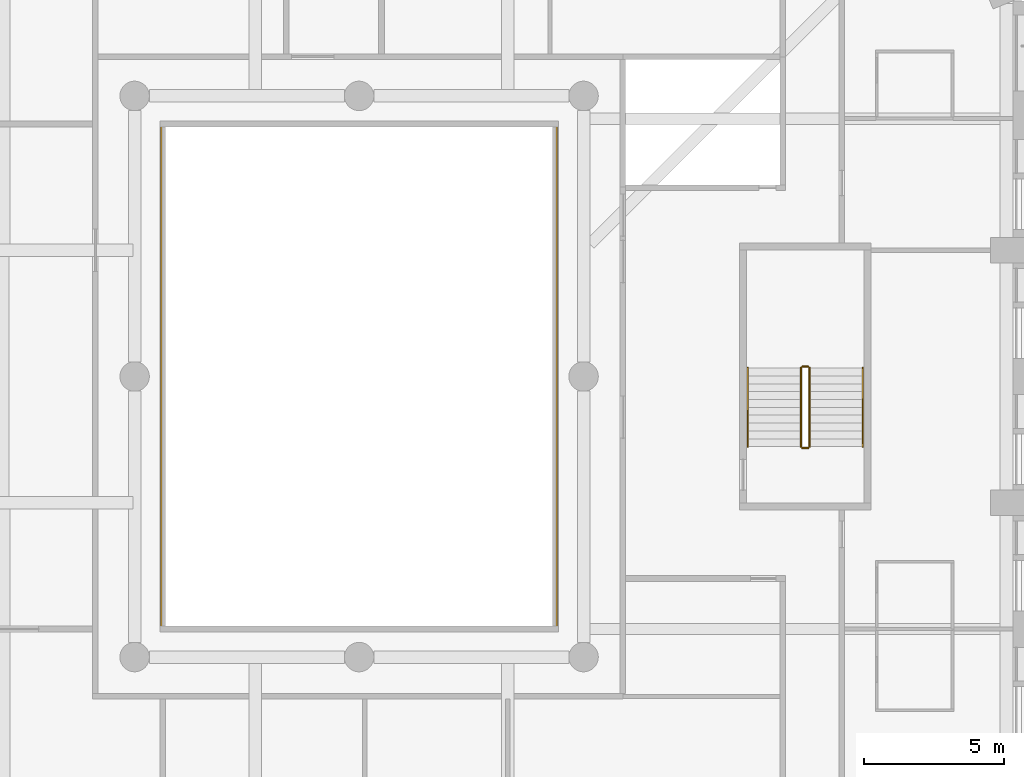
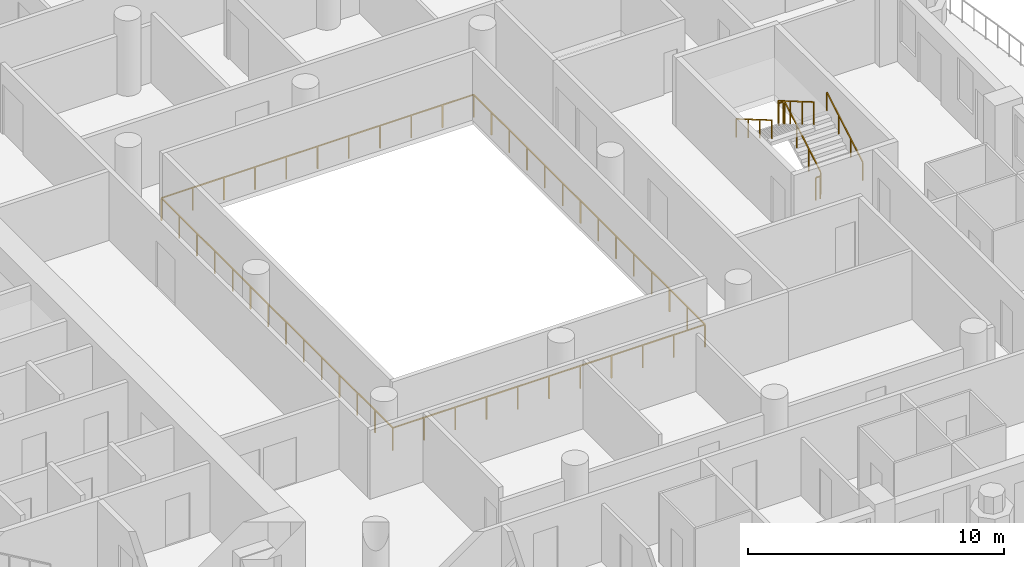
# One storey, part 14 of 19: 7 railings.
"""IFC4 building model written with IfcOpenShell, lengths in metres."""

from ifc_helpers import new_model, si_unit, direction, frame, origin, origin_2d, place, context, subcontext, project, spatial, rectangle, extrude, material, type_object, element, save


model = new_model("IFC4")

# Units and contexts
model_context = context("Model", 3, precision=1e-05, world=origin(), true_north=direction((0.0, 1.0)))
body_context = subcontext(model_context, "Body", "Model", "MODEL_VIEW")
ifc_project = project(units=[si_unit("LENGTHUNIT", "METRE"), si_unit("AREAUNIT", "SQUARE_METRE"), si_unit("VOLUMEUNIT", "CUBIC_METRE"), si_unit("PLANEANGLEUNIT", "RADIAN"), si_unit("MASSUNIT", "GRAM", prefix="KILO")], contexts=[model_context])

# Site, building, storey
site_placement = place(None, origin())
site = spatial("IfcSite", under=ifc_project, at=site_placement, CompositionType="ELEMENT")
building_placement = place(site_placement, origin())
building = spatial("IfcBuilding", under=site, at=building_placement, Name="Cypress Arch Tower", CompositionType="ELEMENT")
storey_placement = place(building_placement, frame((0.0, 0.0, 141.89990234375)))
storey = spatial("IfcBuildingStorey", under=building, at=storey_placement, Name="L31", CompositionType="ELEMENT", Elevation=141.89990234375)

# Railings
ifc_material_1 = material(Name="Stainless steel posts and handrail, laminated glass infill", Category="steel")
railing_type_1 = type_object("IfcRailingType", Name="Atrium guard GR1100A", PredefinedType="GUARDRAIL", material=ifc_material_1)
railing_1_placement = place(storey_placement, frame((8.050048828125, -9.050048828125, 0.0)))
element("IfcRailing", 1, at=railing_1_placement, inside=storey, type_object=railing_type_1, Name="Atrium guard L31", PredefinedType="GUARDRAIL", context=body_context, shape_type="SweptSolid", body=[
    extrude(rectangle(XDim=0.050048828125, YDim=0.050048828125, at=origin_2d()), frame((0.0, 0.0, 1.0751953125), z_axis=(-1.0, 0.0, 0.0), x_axis=(0.0, -1.0, 0.0)), (0.0, 0.0, 1.0), 14.10009765625),
    extrude(rectangle(XDim=0.050048828125, YDim=0.050048828125, at=origin_2d()), frame((-14.10009765625, 0.0, 1.0751953125), z_axis=(0.0, 1.0, 0.0), x_axis=(-1.0, 0.0, 0.0)), (0.0, 0.0, 1.0), 18.10009765625),
    extrude(rectangle(XDim=0.050048828125, YDim=0.050048828125, at=origin_2d()), frame((-14.10009765625, 18.10009765625, 1.0751953125), z_axis=(1.0, 0.0, 0.0), x_axis=(0.0, 1.0, 0.0)), (0.0, 0.0, 1.0), 14.10009765625),
    extrude(rectangle(XDim=0.050048828125, YDim=0.050048828125, at=origin_2d()), frame((0.0, 18.10009765625, 1.0751953125), z_axis=(0.0, -1.0, 0.0), x_axis=(1.0, 0.0, 0.0)), (0.0, 0.0, 1.0), 18.10009765625),
    extrude(rectangle(XDim=0.050048828125, YDim=0.050048828125, at=origin_2d()), origin(), (0.0, 0.0, 1.0), 1.050048828125),
    extrude(rectangle(XDim=0.050048828125, YDim=0.050048828125, at=origin_2d()), frame((-1.409912109375, 0.0, 0.0)), (0.0, 0.0, 1.0), 1.050048828125),
    extrude(rectangle(XDim=0.050048828125, YDim=0.050048828125, at=origin_2d()), frame((-2.820068359375, 0.0, 0.0)), (0.0, 0.0, 1.0), 1.050048828125),
    extrude(rectangle(XDim=0.050048828125, YDim=0.050048828125, at=origin_2d()), frame((-4.22998046875, 0.0, 0.0)), (0.0, 0.0, 1.0), 1.050048828125),
    extrude(rectangle(XDim=0.050048828125, YDim=0.050048828125, at=origin_2d()), frame((-5.64013671875, 0.0, 0.0)), (0.0, 0.0, 1.0), 1.050048828125),
    extrude(rectangle(XDim=0.050048828125, YDim=0.050048828125, at=origin_2d()), frame((-7.050048828125, 0.0, 0.0)), (0.0, 0.0, 1.0), 1.050048828125),
    extrude(rectangle(XDim=0.050048828125, YDim=0.050048828125, at=origin_2d()), frame((-8.4599609375, 0.0, 0.0)), (0.0, 0.0, 1.0), 1.050048828125),
    extrude(rectangle(XDim=0.050048828125, YDim=0.050048828125, at=origin_2d()), frame((-9.8701171875, 0.0, 0.0)), (0.0, 0.0, 1.0), 1.050048828125),
    extrude(rectangle(XDim=0.050048828125, YDim=0.050048828125, at=origin_2d()), frame((-11.280029296875, 0.0, 0.0)), (0.0, 0.0, 1.0), 1.050048828125),
    extrude(rectangle(XDim=0.050048828125, YDim=0.050048828125, at=origin_2d()), frame((-12.690185546875, 0.0, 0.0)), (0.0, 0.0, 1.0), 1.050048828125),
    extrude(rectangle(XDim=0.050048828125, YDim=0.050048828125, at=origin_2d()), frame((-14.10009765625, 0.0, 0.0)), (0.0, 0.0, 1.0), 1.050048828125),
    extrude(rectangle(XDim=0.050048828125, YDim=0.050048828125, at=origin_2d()), frame((-14.10009765625, 1.392333984375, 0.0)), (0.0, 0.0, 1.0), 1.050048828125),
    extrude(rectangle(XDim=0.050048828125, YDim=0.050048828125, at=origin_2d()), frame((-14.10009765625, 2.78466796875, 0.0)), (0.0, 0.0, 1.0), 1.050048828125),
    extrude(rectangle(XDim=0.050048828125, YDim=0.050048828125, at=origin_2d()), frame((-14.10009765625, 4.177001953125, 0.0)), (0.0, 0.0, 1.0), 1.050048828125),
    extrude(rectangle(XDim=0.050048828125, YDim=0.050048828125, at=origin_2d()), frame((-14.10009765625, 5.5693359375, 0.0)), (0.0, 0.0, 1.0), 1.050048828125),
    extrude(rectangle(XDim=0.050048828125, YDim=0.050048828125, at=origin_2d()), frame((-14.10009765625, 6.961669921875, 0.0)), (0.0, 0.0, 1.0), 1.050048828125),
    extrude(rectangle(XDim=0.050048828125, YDim=0.050048828125, at=origin_2d()), frame((-14.10009765625, 8.35400390625, 0.0)), (0.0, 0.0, 1.0), 1.050048828125),
    extrude(rectangle(XDim=0.050048828125, YDim=0.050048828125, at=origin_2d()), frame((-14.10009765625, 9.74609375, 0.0)), (0.0, 0.0, 1.0), 1.050048828125),
    extrude(rectangle(XDim=0.050048828125, YDim=0.050048828125, at=origin_2d()), frame((-14.10009765625, 11.138427734375, 0.0)), (0.0, 0.0, 1.0), 1.050048828125),
    extrude(rectangle(XDim=0.050048828125, YDim=0.050048828125, at=origin_2d()), frame((-14.10009765625, 12.53076171875, 0.0)), (0.0, 0.0, 1.0), 1.050048828125),
    extrude(rectangle(XDim=0.050048828125, YDim=0.050048828125, at=origin_2d()), frame((-14.10009765625, 13.923095703125, 0.0)), (0.0, 0.0, 1.0), 1.050048828125),
    extrude(rectangle(XDim=0.050048828125, YDim=0.050048828125, at=origin_2d()), frame((-14.10009765625, 15.3154296875, 0.0)), (0.0, 0.0, 1.0), 1.050048828125),
    extrude(rectangle(XDim=0.050048828125, YDim=0.050048828125, at=origin_2d()), frame((-14.10009765625, 16.707763671875, 0.0)), (0.0, 0.0, 1.0), 1.050048828125),
    extrude(rectangle(XDim=0.050048828125, YDim=0.050048828125, at=origin_2d()), frame((-14.10009765625, 18.10009765625, 0.0)), (0.0, 0.0, 1.0), 1.050048828125),
    extrude(rectangle(XDim=0.050048828125, YDim=0.050048828125, at=origin_2d()), frame((-12.690185546875, 18.10009765625, 0.0)), (0.0, 0.0, 1.0), 1.050048828125),
    extrude(rectangle(XDim=0.050048828125, YDim=0.050048828125, at=origin_2d()), frame((-11.280029296875, 18.10009765625, 0.0)), (0.0, 0.0, 1.0), 1.050048828125),
    extrude(rectangle(XDim=0.050048828125, YDim=0.050048828125, at=origin_2d()), frame((-9.8701171875, 18.10009765625, 0.0)), (0.0, 0.0, 1.0), 1.050048828125),
    extrude(rectangle(XDim=0.050048828125, YDim=0.050048828125, at=origin_2d()), frame((-8.4599609375, 18.10009765625, 0.0)), (0.0, 0.0, 1.0), 1.050048828125),
    extrude(rectangle(XDim=0.050048828125, YDim=0.050048828125, at=origin_2d()), frame((-7.050048828125, 18.10009765625, 0.0)), (0.0, 0.0, 1.0), 1.050048828125),
    extrude(rectangle(XDim=0.050048828125, YDim=0.050048828125, at=origin_2d()), frame((-5.64013671875, 18.10009765625, 0.0)), (0.0, 0.0, 1.0), 1.050048828125),
    extrude(rectangle(XDim=0.050048828125, YDim=0.050048828125, at=origin_2d()), frame((-4.22998046875, 18.10009765625, 0.0)), (0.0, 0.0, 1.0), 1.050048828125),
    extrude(rectangle(XDim=0.050048828125, YDim=0.050048828125, at=origin_2d()), frame((-2.820068359375, 18.10009765625, 0.0)), (0.0, 0.0, 1.0), 1.050048828125),
    extrude(rectangle(XDim=0.050048828125, YDim=0.050048828125, at=origin_2d()), frame((-1.409912109375, 18.10009765625, 0.0)), (0.0, 0.0, 1.0), 1.050048828125),
    extrude(rectangle(XDim=0.050048828125, YDim=0.050048828125, at=origin_2d()), frame((0.0, 18.10009765625, 0.0)), (0.0, 0.0, 1.0), 1.050048828125),
    extrude(rectangle(XDim=0.050048828125, YDim=0.050048828125, at=origin_2d()), frame((0.0, 16.707763671875, 0.0)), (0.0, 0.0, 1.0), 1.050048828125),
    extrude(rectangle(XDim=0.050048828125, YDim=0.050048828125, at=origin_2d()), frame((0.0, 15.3154296875, 0.0)), (0.0, 0.0, 1.0), 1.050048828125),
    extrude(rectangle(XDim=0.050048828125, YDim=0.050048828125, at=origin_2d()), frame((0.0, 13.923095703125, 0.0)), (0.0, 0.0, 1.0), 1.050048828125),
    extrude(rectangle(XDim=0.050048828125, YDim=0.050048828125, at=origin_2d()), frame((0.0, 12.53076171875, 0.0)), (0.0, 0.0, 1.0), 1.050048828125),
    extrude(rectangle(XDim=0.050048828125, YDim=0.050048828125, at=origin_2d()), frame((0.0, 11.138427734375, 0.0)), (0.0, 0.0, 1.0), 1.050048828125),
    extrude(rectangle(XDim=0.050048828125, YDim=0.050048828125, at=origin_2d()), frame((0.0, 9.74609375, 0.0)), (0.0, 0.0, 1.0), 1.050048828125),
    extrude(rectangle(XDim=0.050048828125, YDim=0.050048828125, at=origin_2d()), frame((0.0, 8.35400390625, 0.0)), (0.0, 0.0, 1.0), 1.050048828125),
    extrude(rectangle(XDim=0.050048828125, YDim=0.050048828125, at=origin_2d()), frame((0.0, 6.961669921875, 0.0)), (0.0, 0.0, 1.0), 1.050048828125),
    extrude(rectangle(XDim=0.050048828125, YDim=0.050048828125, at=origin_2d()), frame((0.0, 5.5693359375, 0.0)), (0.0, 0.0, 1.0), 1.050048828125),
    extrude(rectangle(XDim=0.050048828125, YDim=0.050048828125, at=origin_2d()), frame((0.0, 4.177001953125, 0.0)), (0.0, 0.0, 1.0), 1.050048828125),
    extrude(rectangle(XDim=0.050048828125, YDim=0.050048828125, at=origin_2d()), frame((0.0, 2.78466796875, 0.0)), (0.0, 0.0, 1.0), 1.050048828125),
    extrude(rectangle(XDim=0.050048828125, YDim=0.050048828125, at=origin_2d()), frame((0.0, 1.392333984375, 0.0)), (0.0, 0.0, 1.0), 1.050048828125),
])
ifc_material_2 = material(Name="Black powder-coated steel square bar 48 mm", Category="steel")
railing_type_2 = type_object("IfcRailingType", Name="Stair handrail HR1", PredefinedType="HANDRAIL", material=ifc_material_2)
railing_2_placement = place(storey_placement, frame((18.949951171875, -2.5, 0.163818359375)))
element("IfcRailing", 2, at=railing_2_placement, inside=storey, type_object=railing_type_2, Name="L31 C stair handrail 1", PredefinedType="HANDRAIL", context=body_context, shape_type="SweptSolid", body=[
    extrude(rectangle(XDim=0.048095703125, YDim=0.048095703125, at=origin_2d()), frame((0.0, 0.0, 0.8759765625), z_axis=(0.0, 0.863393664356, 0.504530851732), x_axis=(-1.0, 0.0, 0.0)), (0.0, 0.0, 1.0), 3.2431640625),
    extrude(rectangle(XDim=0.0419921875, YDim=0.0419921875, at=origin_2d()), origin(), (0.0, 0.0, 1.0), 0.851806640625),
    extrude(rectangle(XDim=0.0419921875, YDim=0.0419921875, at=origin_2d()), frame((0.0, 0.933349609375, 0.54541015625)), (0.0, 0.0, 1.0), 0.851806640625),
    extrude(rectangle(XDim=0.0419921875, YDim=0.0419921875, at=origin_2d()), frame((0.0, 1.86669921875, 1.0908203125)), (0.0, 0.0, 1.0), 0.851806640625),
    extrude(rectangle(XDim=0.0419921875, YDim=0.0419921875, at=origin_2d()), frame((0.0, 2.800048828125, 1.63623046875)), (0.0, 0.0, 1.0), 0.851806640625),
])
railing_3_placement = place(storey_placement, frame((14.85009765625, 0.300048828125, 1.963623046875)))
element("IfcRailing", 3, at=railing_3_placement, inside=storey, type_object=railing_type_2, Name="L31 C stair handrail 2", PredefinedType="HANDRAIL", context=body_context, shape_type="SweptSolid", body=[
    extrude(rectangle(XDim=0.048095703125, YDim=0.048095703125, at=origin_2d()), frame((0.0, 0.0, 0.8759765625), z_axis=(0.0, -0.863360870873, 0.504586966384), x_axis=(1.0, 0.0, 0.0)), (0.0, 0.0, 1.0), 3.2431640625),
    extrude(rectangle(XDim=0.0419921875, YDim=0.0419921875, at=origin_2d()), origin(), (0.0, 0.0, 1.0), 0.851806640625),
    extrude(rectangle(XDim=0.0419921875, YDim=0.0419921875, at=origin_2d()), frame((0.0, -0.933349609375, 0.54541015625)), (0.0, 0.0, 1.0), 0.851806640625),
    extrude(rectangle(XDim=0.0419921875, YDim=0.0419921875, at=origin_2d()), frame((0.0, -1.86669921875, 1.091064453125)), (0.0, 0.0, 1.0), 0.851806640625),
    extrude(rectangle(XDim=0.0419921875, YDim=0.0419921875, at=origin_2d()), frame((0.0, -2.800048828125, 1.636474609375)), (0.0, 0.0, 1.0), 0.851806640625),
])
ifc_material_3 = material(Name="Black powder-coated steel balusters", Category="steel")
railing_type_3 = type_object("IfcRailingType", Name="Stair well guard G1", PredefinedType="GUARDRAIL", material=ifc_material_3)
railing_4_placement = place(storey_placement, frame((17.050048828125, -2.5, 0.163818359375)))
element("IfcRailing", 4, at=railing_4_placement, inside=storey, type_object=railing_type_3, Name="L31 C stair guard 1", PredefinedType="GUARDRAIL", context=body_context, shape_type="SweptSolid", body=[
    extrude(rectangle(XDim=0.048095703125, YDim=0.048095703125, at=origin_2d()), frame((0.0, 0.0, 1.076171875), z_axis=(0.0, 0.863393664356, 0.504530851732), x_axis=(-1.0, 0.0, 0.0)), (0.0, 0.0, 1.0), 3.2431640625),
    extrude(rectangle(XDim=0.0419921875, YDim=0.0419921875, at=origin_2d()), origin(), (0.0, 0.0, 1.0), 1.052001953125),
    extrude(rectangle(XDim=0.0419921875, YDim=0.0419921875, at=origin_2d()), frame((0.0, 0.933349609375, 0.54541015625)), (0.0, 0.0, 1.0), 1.052001953125),
    extrude(rectangle(XDim=0.0419921875, YDim=0.0419921875, at=origin_2d()), frame((0.0, 1.86669921875, 1.0908203125)), (0.0, 0.0, 1.0), 1.052001953125),
    extrude(rectangle(XDim=0.0419921875, YDim=0.0419921875, at=origin_2d()), frame((0.0, 2.800048828125, 1.63623046875)), (0.0, 0.0, 1.0), 1.052001953125),
])
railing_5_placement = place(storey_placement, frame((17.0, 0.35009765625, 1.800048828125)))
element("IfcRailing", 5, at=railing_5_placement, inside=storey, type_object=railing_type_3, Name="L31 C stair guard 2", PredefinedType="GUARDRAIL", context=body_context, shape_type="SweptSolid", body=[
    extrude(rectangle(XDim=0.048095703125, YDim=0.048095703125, at=origin_2d()), frame((0.0, 0.0, 1.076171875), z_axis=(-1.0, 0.0, 0.0), x_axis=(0.0, -1.0, 0.0)), (0.0, 0.0, 1.0), 0.199951171875),
    extrude(rectangle(XDim=0.0419921875, YDim=0.0419921875, at=origin_2d()), origin(), (0.0, 0.0, 1.0), 1.052001953125),
    extrude(rectangle(XDim=0.0419921875, YDim=0.0419921875, at=origin_2d()), frame((-0.199951171875, 0.0, 0.0)), (0.0, 0.0, 1.0), 1.052001953125),
])
railing_6_placement = place(storey_placement, frame((16.75, 0.300048828125, 1.963623046875)))
element("IfcRailing", 6, at=railing_6_placement, inside=storey, type_object=railing_type_3, Name="L31 C stair guard 3", PredefinedType="GUARDRAIL", context=body_context, shape_type="SweptSolid", body=[
    extrude(rectangle(XDim=0.048095703125, YDim=0.048095703125, at=origin_2d()), frame((0.0, 0.0, 1.076171875), z_axis=(0.0, -0.863360870873, 0.504586966384), x_axis=(1.0, 0.0, 0.0)), (0.0, 0.0, 1.0), 3.2431640625),
    extrude(rectangle(XDim=0.0419921875, YDim=0.0419921875, at=origin_2d()), origin(), (0.0, 0.0, 1.0), 1.052001953125),
    extrude(rectangle(XDim=0.0419921875, YDim=0.0419921875, at=origin_2d()), frame((0.0, -0.933349609375, 0.54541015625)), (0.0, 0.0, 1.0), 1.052001953125),
    extrude(rectangle(XDim=0.0419921875, YDim=0.0419921875, at=origin_2d()), frame((0.0, -1.86669921875, 1.091064453125)), (0.0, 0.0, 1.0), 1.052001953125),
    extrude(rectangle(XDim=0.0419921875, YDim=0.0419921875, at=origin_2d()), frame((0.0, -2.800048828125, 1.636474609375)), (0.0, 0.0, 1.0), 1.052001953125),
])
railing_7_placement = place(storey_placement, frame((17.0, -2.550048828125, 0.0)))
element("IfcRailing", 7, at=railing_7_placement, inside=storey, type_object=railing_type_3, Name="L31 C stair guard 4", PredefinedType="GUARDRAIL", context=body_context, shape_type="SweptSolid", body=[
    extrude(rectangle(XDim=0.048095703125, YDim=0.048095703125, at=origin_2d()), frame((0.0, 0.0, 1.076171875), z_axis=(-1.0, 0.0, 0.0), x_axis=(0.0, -1.0, 0.0)), (0.0, 0.0, 1.0), 0.199951171875),
    extrude(rectangle(XDim=0.0419921875, YDim=0.0419921875, at=origin_2d()), origin(), (0.0, 0.0, 1.0), 1.052001953125),
    extrude(rectangle(XDim=0.0419921875, YDim=0.0419921875, at=origin_2d()), frame((-0.199951171875, 0.0, 0.0)), (0.0, 0.0, 1.0), 1.052001953125),
])

save(model, "model.ifc")
